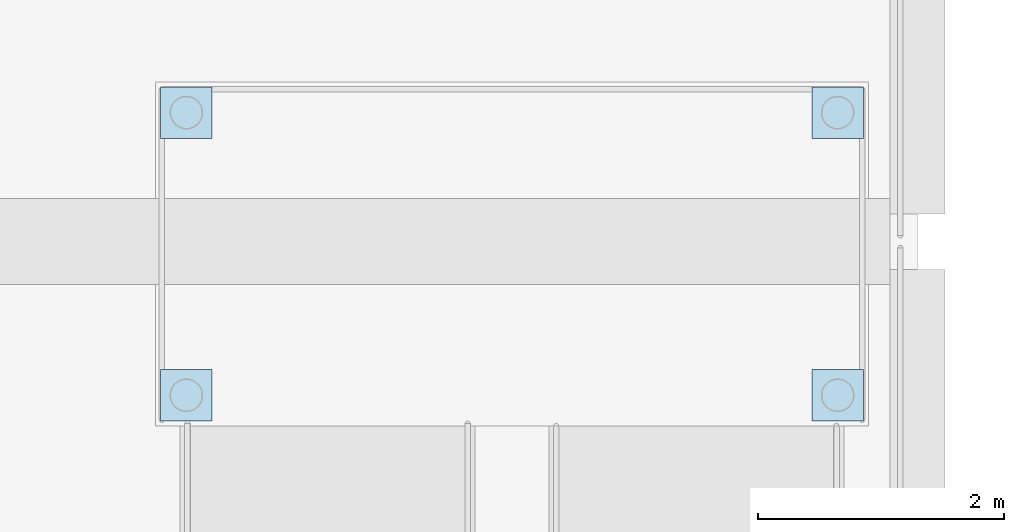
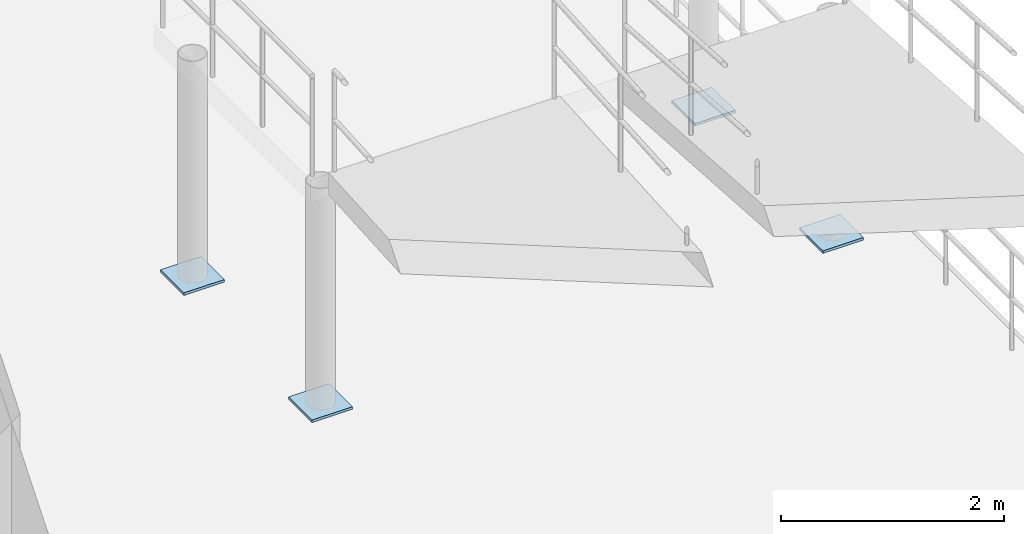
# One storey, part 48 of 71: 4 plates.
"""IFC4 building model written with IfcOpenShell, lengths in metres."""

from ifc_helpers import new_model, si_unit, direction, frame, origin, origin_2d, place, context, subcontext, project, spatial, rectangle, extrude, material, layer, layer_set, type_object, element, save


model = new_model("IFC4")

# Units and contexts
model_context = context("Model", 3, precision=1e-05, world=origin(), true_north=direction((0.0, 1.0)))
body_context = subcontext(model_context, "Body", "Model", "MODEL_VIEW")
ifc_project = project(units=[si_unit("LENGTHUNIT", "METRE"), si_unit("AREAUNIT", "SQUARE_METRE"), si_unit("VOLUMEUNIT", "CUBIC_METRE"), si_unit("PLANEANGLEUNIT", "RADIAN"), si_unit("MASSUNIT", "GRAM", prefix="KILO")], contexts=[model_context])

# Site, building, storey
site_placement = place(None, origin())
site = spatial("IfcSite", under=ifc_project, at=site_placement, CompositionType="ELEMENT")
building_placement = place(site_placement, origin())
building = spatial("IfcBuilding", under=site, at=building_placement, Name="Lornevale Opera House", CompositionType="ELEMENT")
storey_placement = place(building_placement, origin())
storey = spatial("IfcBuildingStorey", under=building, at=storey_placement, Name="L01", CompositionType="ELEMENT", Elevation=0.0)

# Plates
ifc_material = material(Name="Structural Steel CSA G40.21 Grade 350W (350 MPa)", Category="steel")
ifc_layer = layer(ifc_material, 0.028076171875)
ifc_layer_set = layer_set([ifc_layer], Name="Structural Steel CSA G40.21 Grade 350W (350 MPa)")
plate_type = type_object("IfcPlateType", Name="Ramp Mast Base Plate 420x420x28", PredefinedType="USERDEFINED", material=ifc_layer_set)
for number, where, z_axis, x_axis, name in (
    (1, (157.25, 65.949951171875, 0.0), (0.0, 0.0, 1.0), (1.0, 0.0, 0.0), "Ramp Mast Base Plate PT-MB-0027"),
    (2, (157.25, 68.25, 0.0), (0.0, 0.0, 1.0), (1.0, 0.0, 0.0), "Ramp Mast Base Plate PT-MB-0030"),
    (3, (162.550048828125, 65.949951171875, 0.0), (0.0, 0.0, 1.0), (1.0, 0.0, 0.0), "Ramp Mast Base Plate PT-MB-0033"),
    (4, (162.550048828125, 68.25, 0.0), (0.0, 0.0, 1.0), (1.0, 0.0, 0.0), "Ramp Mast Base Plate PT-MB-0036"),
):
    element("IfcPlate", number, at=place(storey_placement, frame(where, z_axis=z_axis, x_axis=x_axis)), inside=storey, type_object=plate_type, Name=name, ObjectType="GUSSET PLATE", PredefinedType="USERDEFINED", context=body_context, shape_type="SweptSolid", body=[
        extrude(rectangle(XDim=0.419921875, YDim=0.419921875, at=origin_2d()), origin(), (0.0, 0.0, 1.0), 0.028076171875),
    ])

save(model, "model.ifc")
